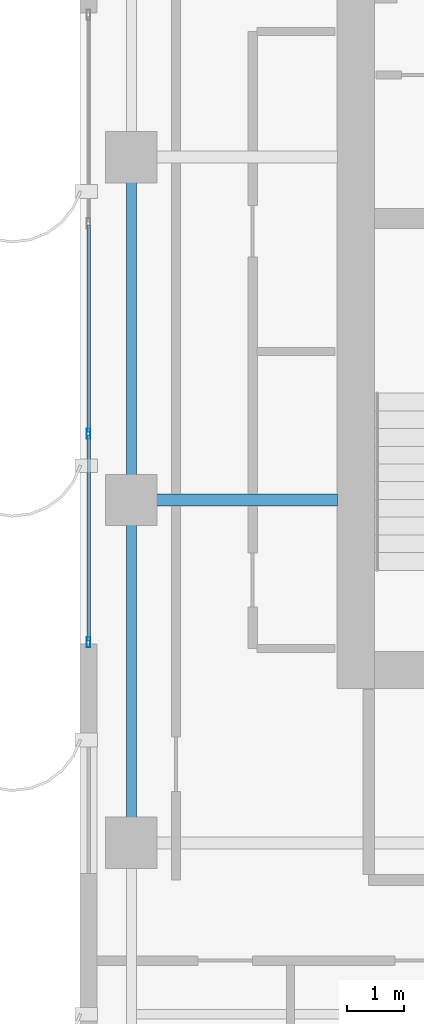
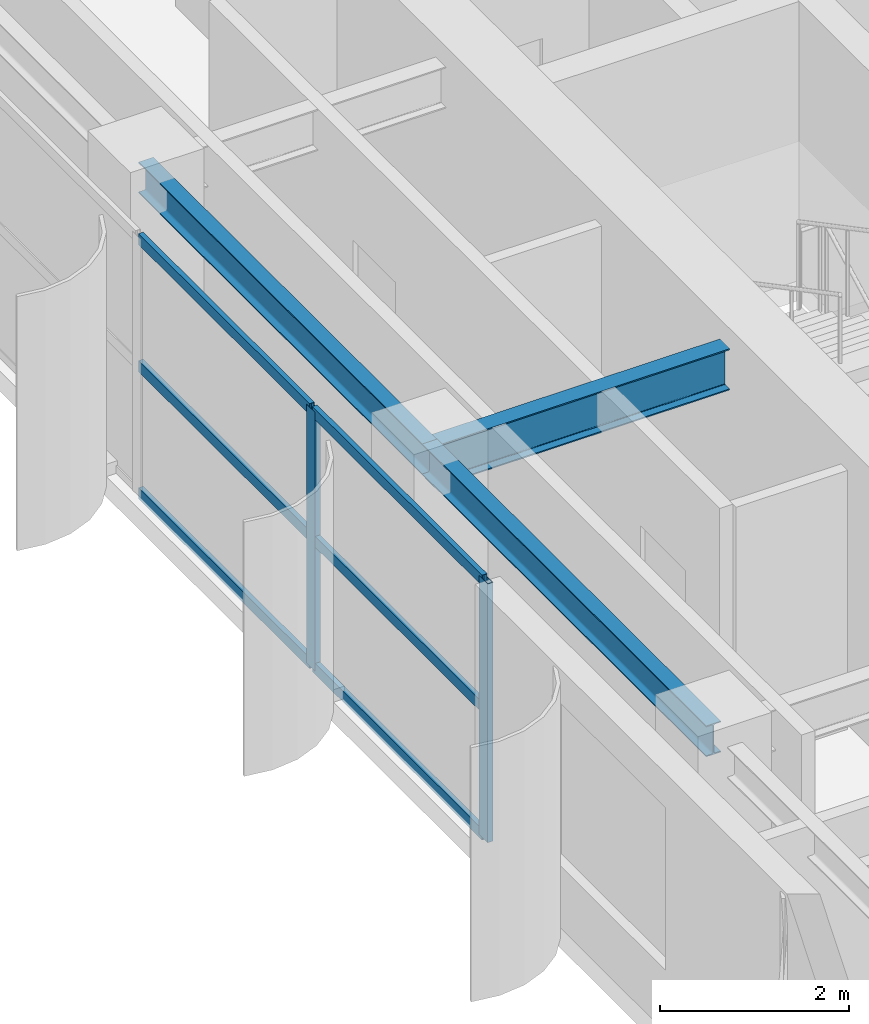
# One storey, part 5 of 23: 8 members, 3 beams, 1 element without a shape of its own.
"""IFC4 building model written with IfcOpenShell, lengths in metres."""

from ifc_helpers import new_model, si_unit, direction, frame, origin, origin_2d, place, context, subcontext, project, spatial, hollow_rectangle, i_section, extrude, source, transform, mapped, material, layer, layer_set, material_profile, profile_set, type_object, element, aggregate, save


model = new_model("IFC4")

# Units and contexts
model_context = context("Model", 3, precision=1e-05, world=origin(), true_north=direction((0.0, 1.0)))
body_context = subcontext(model_context, "Body", "Model", "MODEL_VIEW")
ifc_project = project(units=[si_unit("LENGTHUNIT", "METRE"), si_unit("AREAUNIT", "SQUARE_METRE"), si_unit("VOLUMEUNIT", "CUBIC_METRE"), si_unit("PLANEANGLEUNIT", "RADIAN"), si_unit("MASSUNIT", "GRAM", prefix="KILO")], contexts=[model_context])

# Site, building, storey
site_placement = place(None, origin())
site = spatial("IfcSite", under=ifc_project, at=site_placement, CompositionType="ELEMENT")
building_placement = place(site_placement, origin())
building = spatial("IfcBuilding", under=site, at=building_placement, Name="Khoralis Quay Care Tower", CompositionType="ELEMENT")
storey_placement = place(building_placement, frame((0.0, 0.0, 173.699951171875)))
storey = spatial("IfcBuildingStorey", under=building, at=storey_placement, Name="L45", CompositionType="ELEMENT", Elevation=173.699951171875)

# Beams
ifc_material_1 = material(Name="Steel S355", Category="steel")
ifc_material_profile_1 = material_profile(ifc_material_1, i_section(OverallWidth=0.179931640625, OverallDepth=0.39990234375, WebThickness=0.008544921875, FlangeThickness=0.013427734375, FilletRadius=0.02099609375, at=origin_2d()), Name="Steel S355")
ifc_profile_set_1 = profile_set([ifc_material_profile_1], Name="Steel S355")
beam_type_1 = type_object("IfcBeamType", Name="BM-IPE400", PredefinedType="SPANDREL", material=ifc_profile_set_1)
shared_shape_1 = source(origin(), body_context, "Body", "SweptSolid", [
    extrude(i_section(OverallWidth=0.179931640625, OverallDepth=0.39990234375, WebThickness=0.008544921875, FlangeThickness=0.013427734375, FilletRadius=0.02099609375, at=origin_2d()), origin(), (0.0, 0.0, 1.0), 6.0),
])
for number, where, z_axis, x_axis, name in (
    (1, (3.89990234375, 12.0, 3.14013671875), (0.0, 1.0, 0.0), (-1.0, 0.0, 0.0), "BM-TSP-L45-10"),
    (2, (3.89990234375, 18.0, 3.14013671875), (0.0, 1.0, 0.0), (-1.0, 0.0, 0.0), "BM-TSP-L45-11"),
):
    element("IfcBeam", number, at=place(storey_placement, frame(where, z_axis=z_axis, x_axis=x_axis)), inside=storey, type_object=beam_type_1, Name=name, PredefinedType="SPANDREL", context=body_context, shape_type="MappedRepresentation", body=[
        mapped(shared_shape_1, transform((0.0, 0.0, 0.0), scale=1.0)),
    ])
ifc_material_profile_2 = material_profile(ifc_material_1, i_section(OverallWidth=0.208984375, OverallDepth=0.532958984375, WebThickness=0.01025390625, FlangeThickness=0.015625, FilletRadius=0.01611328125, at=origin_2d()), Name="Steel S355")
ifc_profile_set_2 = profile_set([ifc_material_profile_2], Name="Steel S355")
beam_type_2 = type_object("IfcBeamType", Name="BM-W530X92", PredefinedType="BEAM", material=ifc_profile_set_2)
shared_shape_2 = source(origin(), body_context, "Body", "SweptSolid", [
    extrude(i_section(OverallWidth=0.208984375, OverallDepth=0.532958984375, WebThickness=0.01025390625, FlangeThickness=0.015625, FilletRadius=0.01611328125, at=origin_2d()), origin(), (0.0, 0.0, 1.0), 3.60205078125),
])
beam_placement = place(storey_placement, frame((3.89990234375, 18.0, 3.073486328125), z_axis=(1.0, 0.0, 0.0), x_axis=(0.0, 1.0, 0.0)))
element("IfcBeam", 3, at=beam_placement, inside=storey, type_object=beam_type_2, Name="BM-TGXW-L45-180", PredefinedType="BEAM", context=body_context, shape_type="MappedRepresentation", body=[
    mapped(shared_shape_2, transform((0.0, 0.0, 0.0), scale=1.0)),
])

# Curtain wall, members
ifc_material_2 = material(Name="Pale anodised aluminium", Category="aluminium")
ifc_layer = layer(ifc_material_2, 0.159912109375)
ifc_layer_set = layer_set([ifc_layer], Name="Pale anodised aluminium")
curtain_wall_type = type_object("IfcCurtainWallType", Name="CW-SYS-Z3", PredefinedType="NOTDEFINED", material=ifc_layer_set)
curtain_wall_placement = place(storey_placement, origin())
curtain_wall = element("IfcCurtainWall", 4, at=curtain_wall_placement, inside=storey, type_object=curtain_wall_type, Name="L45 Unitised Curtain Wall CW-L45-P1-E15", PredefinedType="NOTDEFINED")
ifc_material_profile_3 = material_profile(ifc_material_2, hollow_rectangle(XDim=0.06494140625, YDim=0.179931640625, WallThickness=0.00390625, at=origin_2d()), Name="Pale anodised aluminium")
ifc_profile_set_3 = profile_set([ifc_material_profile_3], Name="Pale anodised aluminium")
member_type_1 = type_object("IfcMemberType", Name="CW-MUL-180", PredefinedType="MULLION", material=ifc_profile_set_3)
shared_shape_3 = source(origin(), body_context, "Body", "SweptSolid", [
    extrude(hollow_rectangle(XDim=0.06494140625, YDim=0.179931640625, WallThickness=0.00390625, at=origin_2d()), origin(), (0.0, 0.0, 1.0), 3.340087890625),
])
member_1_placement = place(storey_placement, frame((3.14990234375, 19.159912109375, 0.0), z_axis=(0.0, 0.0, 1.0), x_axis=(1.0, 0.0, 0.0)))
member_1 = element("IfcMember", 5, at=member_1_placement, type_object=member_type_1, Name="CW3 mullion 3", PredefinedType="MULLION", context=body_context, shape_type="MappedRepresentation", body=[
    mapped(shared_shape_3, transform((0.0, 0.0, 0.0), scale=1.0)),
])
member_2_placement = place(storey_placement, frame((3.14990234375, 15.510009765625, 0.0), z_axis=(0.0, 0.0, 1.0), x_axis=(1.0, 0.0, 0.0)))
member_2 = element("IfcMember", 6, at=member_2_placement, type_object=member_type_1, Name="CW3 mullion 4", PredefinedType="MULLION", context=body_context, shape_type="MappedRepresentation", body=[
    mapped(shared_shape_3, transform((0.0, 0.0, 0.0), scale=1.0)),
])
ifc_material_profile_4 = material_profile(ifc_material_2, hollow_rectangle(XDim=0.06005859375, YDim=0.139892578125, WallThickness=0.00390625, at=origin_2d()), Name="Pale anodised aluminium")
ifc_profile_set_4 = profile_set([ifc_material_profile_4], Name="Pale anodised aluminium")
member_type_2 = type_object("IfcMemberType", Name="CW-TRN-140", PredefinedType="USERDEFINED", material=ifc_profile_set_4)
shared_shape_4 = source(origin(), body_context, "Body", "SweptSolid", [
    extrude(hollow_rectangle(XDim=0.06005859375, YDim=0.139892578125, WallThickness=0.00390625, at=origin_2d()), origin(), (0.0, 0.0, 1.0), 3.58984375),
])
member_3_placement = place(storey_placement, frame((3.14990234375, 19.1298828125, 0.030029296875), z_axis=(0.0, -1.0, 0.0), x_axis=(1.0, 0.0, 0.0)))
member_3 = element("IfcMember", 7, at=member_3_placement, type_object=member_type_2, Name="CW3 transom 3.1", ObjectType="TRANSOM", PredefinedType="USERDEFINED", context=body_context, shape_type="MappedRepresentation", body=[
    mapped(shared_shape_4, transform((0.0, 0.0, 0.0), scale=1.0)),
])
member_4_placement = place(storey_placement, frame((3.14990234375, 19.1298828125, 1.670166015625), z_axis=(0.0, -1.0, 0.0), x_axis=(1.0, 0.0, 0.0)))
member_4 = element("IfcMember", 8, at=member_4_placement, type_object=member_type_2, Name="CW3 transom 3.2", ObjectType="TRANSOM", PredefinedType="USERDEFINED", context=body_context, shape_type="MappedRepresentation", body=[
    mapped(shared_shape_4, transform((0.0, 0.0, 0.0), scale=1.0)),
])
member_5_placement = place(storey_placement, frame((3.14990234375, 19.1298828125, 3.31005859375), z_axis=(0.0, -1.0, 0.0), x_axis=(1.0, 0.0, 0.0)))
member_5 = element("IfcMember", 9, at=member_5_placement, type_object=member_type_2, Name="CW3 transom 3.3", ObjectType="TRANSOM", PredefinedType="USERDEFINED", context=body_context, shape_type="MappedRepresentation", body=[
    mapped(shared_shape_4, transform((0.0, 0.0, 0.0), scale=1.0)),
])
shared_shape_5 = source(origin(), body_context, "Body", "SweptSolid", [
    extrude(hollow_rectangle(XDim=0.06005859375, YDim=0.139892578125, WallThickness=0.00390625, at=origin_2d()), origin(), (0.0, 0.0, 1.0), 3.6201171875),
])
member_6_placement = place(storey_placement, frame((3.14990234375, 22.81005859375, 0.030029296875), z_axis=(0.0, -1.0, 0.0), x_axis=(1.0, 0.0, 0.0)))
member_6 = element("IfcMember", 10, at=member_6_placement, type_object=member_type_2, Name="CW3 transom 2.1", ObjectType="TRANSOM", PredefinedType="USERDEFINED", context=body_context, shape_type="MappedRepresentation", body=[
    mapped(shared_shape_5, transform((0.0, 0.0, 0.0), scale=1.0)),
])
member_7_placement = place(storey_placement, frame((3.14990234375, 22.81005859375, 1.670166015625), z_axis=(0.0, -1.0, 0.0), x_axis=(1.0, 0.0, 0.0)))
member_7 = element("IfcMember", 11, at=member_7_placement, type_object=member_type_2, Name="CW3 transom 2.2", ObjectType="TRANSOM", PredefinedType="USERDEFINED", context=body_context, shape_type="MappedRepresentation", body=[
    mapped(shared_shape_5, transform((0.0, 0.0, 0.0), scale=1.0)),
])
member_8_placement = place(storey_placement, frame((3.14990234375, 22.81005859375, 3.31005859375), z_axis=(0.0, -1.0, 0.0), x_axis=(1.0, 0.0, 0.0)))
member_8 = element("IfcMember", 12, at=member_8_placement, type_object=member_type_2, Name="CW3 transom 2.3", ObjectType="TRANSOM", PredefinedType="USERDEFINED", context=body_context, shape_type="MappedRepresentation", body=[
    mapped(shared_shape_5, transform((0.0, 0.0, 0.0), scale=1.0)),
])
aggregate(curtain_wall, [member_1, member_2, member_6, member_7, member_8, member_3, member_4, member_5])

save(model, "model.ifc")
